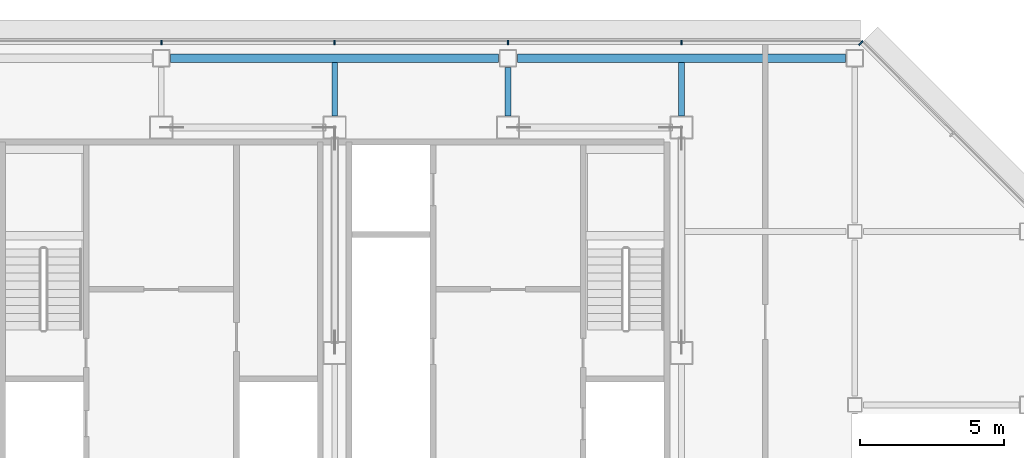
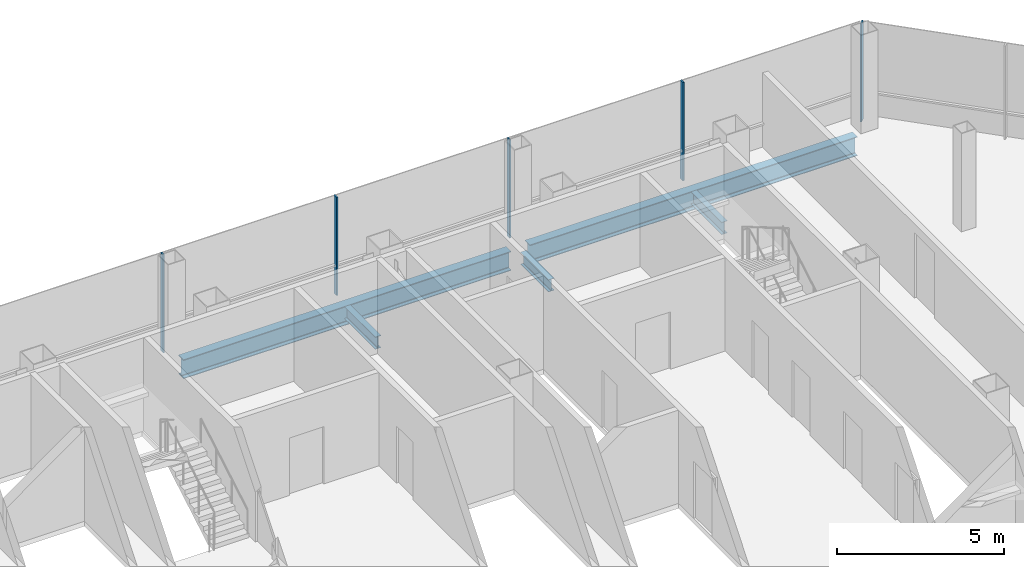
# One storey, part 16 of 27: 5 beams, 5 members, 2 elements without a shape of their own.
"""IFC4 building model written with IfcOpenShell, lengths in metres."""

from ifc_helpers import new_model, si_unit, direction, frame, origin, origin_2d, place, context, subcontext, project, spatial, rectangle, i_section, extrude, material, material_profile, profile_set, type_object, element, aggregate, save


model = new_model("IFC4")

# Units and contexts
model_context = context("Model", 3, precision=1e-05, world=origin(), true_north=direction((0.0, 1.0)))
body_context = subcontext(model_context, "Body", "Model", "MODEL_VIEW")
ifc_project = project(units=[si_unit("LENGTHUNIT", "METRE"), si_unit("AREAUNIT", "SQUARE_METRE"), si_unit("VOLUMEUNIT", "CUBIC_METRE"), si_unit("PLANEANGLEUNIT", "RADIAN"), si_unit("MASSUNIT", "GRAM", prefix="KILO")], contexts=[model_context])

# Site, building, storey
site_placement = place(None, origin())
site = spatial("IfcSite", under=ifc_project, at=site_placement, CompositionType="ELEMENT")
building_placement = place(site_placement, origin())
building = spatial("IfcBuilding", under=site, at=building_placement, Name="Sorahane Residences", CompositionType="ELEMENT")
storey_placement = place(building_placement, frame((0.0, 0.0, 246.800048828125)))
storey = spatial("IfcBuildingStorey", under=building, at=storey_placement, Name="L58", CompositionType="ELEMENT", Elevation=246.800048828125)

# Curtain wall, members
ifc_material_1 = material(Name="Dark low-e glass and black anodised aluminium", Category="aluminium")
curtain_wall_type_1 = type_object("IfcCurtainWallType", Name="Curtain wall CW-1 Typical unitised wall", PredefinedType="NOTDEFINED", material=ifc_material_1)
curtain_wall_1_placement = place(storey_placement, origin())
curtain_wall_1 = element("IfcCurtainWall", 1, at=curtain_wall_1_placement, inside=storey, type_object=curtain_wall_type_1, Name="CW-1 curtain wall L58 N1", PredefinedType="NOTDEFINED")
ifc_material_2 = material(Name="Black anodised aluminium", Category="aluminium")
ifc_material_profile_1 = material_profile(ifc_material_2, rectangle(XDim=0.159912109375, YDim=0.050048828125, at=origin_2d()), Name="Curtain wall mullion CW-1 black anodised aluminium 50x160")
ifc_profile_set_1 = profile_set([ifc_material_profile_1], Name="Black anodised aluminium")
member_type_1 = type_object("IfcMemberType", Name="Curtain wall mullion CW-1 black anodised aluminium 50x160", PredefinedType="MULLION", material=ifc_profile_set_1)
member_1_placement = place(storey_placement, frame((42.0, 48.5400390625, -0.179931640625), z_axis=(0.0, 0.0, 1.0), x_axis=(0.0, 1.0, 0.0)))
member_1 = element("IfcMember", 2, at=member_1_placement, type_object=member_type_1, Name="CW-1 mullion L58 N1.2", PredefinedType="MULLION", context=body_context, shape_type="SweptSolid", body=[
    extrude(rectangle(XDim=0.159912109375, YDim=0.050048828125, at=origin_2d()), origin(), (0.0, 0.0, 1.0), 3.599853515625),
])
member_2_placement = place(storey_placement, frame((36.0, 48.5400390625, -0.179931640625), z_axis=(0.0, 0.0, 1.0), x_axis=(0.0, 1.0, 0.0)))
member_2 = element("IfcMember", 3, at=member_2_placement, type_object=member_type_1, Name="CW-1 mullion L58 N1.3", PredefinedType="MULLION", context=body_context, shape_type="SweptSolid", body=[
    extrude(rectangle(XDim=0.159912109375, YDim=0.050048828125, at=origin_2d()), origin(), (0.0, 0.0, 1.0), 3.599853515625),
])
member_3_placement = place(storey_placement, frame((30.0, 48.5400390625, -0.179931640625), z_axis=(0.0, 0.0, 1.0), x_axis=(0.0, 1.0, 0.0)))
member_3 = element("IfcMember", 4, at=member_3_placement, type_object=member_type_1, Name="CW-1 mullion L58 N1.4", PredefinedType="MULLION", context=body_context, shape_type="SweptSolid", body=[
    extrude(rectangle(XDim=0.159912109375, YDim=0.050048828125, at=origin_2d()), origin(), (0.0, 0.0, 1.0), 3.599853515625),
])
member_4_placement = place(storey_placement, frame((24.0, 48.5400390625, -0.179931640625), z_axis=(0.0, 0.0, 1.0), x_axis=(0.0, 1.0, 0.0)))
member_4 = element("IfcMember", 5, at=member_4_placement, type_object=member_type_1, Name="CW-1 mullion L58 N1.5", PredefinedType="MULLION", context=body_context, shape_type="SweptSolid", body=[
    extrude(rectangle(XDim=0.159912109375, YDim=0.050048828125, at=origin_2d()), origin(), (0.0, 0.0, 1.0), 3.599853515625),
])
aggregate(curtain_wall_1, [member_1, member_2, member_3, member_4])

# Curtain wall, member
ifc_material_3 = material(Name="Dark low-e glass and black anodised aluminium", Category="aluminium")
curtain_wall_type_2 = type_object("IfcCurtainWallType", Name="Curtain wall CW-2 Chamfer unitised wall", PredefinedType="NOTDEFINED", material=ifc_material_3)
curtain_wall_2_placement = place(storey_placement, origin())
curtain_wall_2 = element("IfcCurtainWall", 6, at=curtain_wall_2_placement, inside=storey, type_object=curtain_wall_type_2, Name="CW-2 curtain wall L58 NE1", PredefinedType="NOTDEFINED")
ifc_material_4 = material(Name="Black anodised aluminium", Category="aluminium")
ifc_material_profile_2 = material_profile(ifc_material_4, rectangle(XDim=0.199951171875, YDim=0.050048828125, at=origin_2d()), Name="Curtain wall mullion CW-2 black anodised aluminium 50x200")
ifc_profile_set_2 = profile_set([ifc_material_profile_2], Name="Black anodised aluminium")
member_type_2 = type_object("IfcMemberType", Name="Curtain wall mullion CW-2 black anodised aluminium 50x200", PredefinedType="MULLION", material=ifc_profile_set_2)
member_5_placement = place(storey_placement, frame((48.209716796875, 48.525634765625, -0.179931640625), z_axis=(0.0, 0.0, 1.0), x_axis=(0.707106781187, 0.707106781187, 0.0)))
member_5 = element("IfcMember", 7, at=member_5_placement, type_object=member_type_2, Name="CW-2 mullion L58 NE1.3", PredefinedType="MULLION", context=body_context, shape_type="SweptSolid", body=[
    extrude(rectangle(XDim=0.199951171875, YDim=0.050048828125, at=origin_2d()), origin(), (0.0, 0.0, 1.0), 3.599853515625),
])
aggregate(curtain_wall_2, [member_5])

# Beams
ifc_material_5 = material(Name="Steel Q355B", Category="steel")
ifc_material_profile_3 = material_profile(ifc_material_5, i_section(OverallWidth=0.199951171875, OverallDepth=0.449951171875, WebThickness=0.009033203125, FlangeThickness=0.013916015625, FilletRadius=0.02001953125, at=origin_2d()), Name="HN 450x200x9x14")
ifc_profile_set_3 = profile_set([ifc_material_profile_3], Name="Steel Q355B")
beam_type_1 = type_object("IfcBeamType", Name="Steel floor beam HN 450x200x9x14 Q355B", PredefinedType="BEAM", material=ifc_profile_set_3)
beam_1_placement = place(storey_placement, frame((30.0, 46.0, -0.405029296875), z_axis=(0.0, 1.0, 0.0), x_axis=(-1.0, 0.0, 0.0)))
element("IfcBeam", 8, at=beam_1_placement, inside=storey, type_object=beam_type_1, Name="Beam L58 049", PredefinedType="BEAM", context=body_context, shape_type="SweptSolid", body=[
    extrude(i_section(OverallWidth=0.199951171875, OverallDepth=0.449951171875, WebThickness=0.009033203125, FlangeThickness=0.013916015625, FilletRadius=0.02001953125, at=origin_2d()), origin(), (0.0, 0.0, 1.0), 1.85009765625),
])
beam_2_placement = place(storey_placement, frame((36.0, 46.0, -0.405029296875), z_axis=(0.0, 1.0, 0.0), x_axis=(-1.0, 0.0, 0.0)))
element("IfcBeam", 9, at=beam_2_placement, inside=storey, type_object=beam_type_1, Name="Beam L58 051", PredefinedType="BEAM", context=body_context, shape_type="SweptSolid", body=[
    extrude(i_section(OverallWidth=0.199951171875, OverallDepth=0.449951171875, WebThickness=0.009033203125, FlangeThickness=0.013916015625, FilletRadius=0.02001953125, at=origin_2d()), origin(), (0.0, 0.0, 1.0), 1.675048828125),
])
beam_3_placement = place(storey_placement, frame((42.0, 46.0, -0.405029296875), z_axis=(0.0, 1.0, 0.0), x_axis=(-1.0, 0.0, 0.0)))
element("IfcBeam", 10, at=beam_3_placement, inside=storey, type_object=beam_type_1, Name="Beam L58 057", PredefinedType="BEAM", context=body_context, shape_type="SweptSolid", body=[
    extrude(i_section(OverallWidth=0.199951171875, OverallDepth=0.449951171875, WebThickness=0.009033203125, FlangeThickness=0.013916015625, FilletRadius=0.02001953125, at=origin_2d()), origin(), (0.0, 0.0, 1.0), 1.85009765625),
])
ifc_material_6 = material(Name="Steel Q355B", Category="steel")
ifc_material_profile_4 = material_profile(ifc_material_6, i_section(OverallWidth=0.300048828125, OverallDepth=0.699951171875, WebThickness=0.012939453125, FlangeThickness=0.02392578125, FilletRadius=0.028076171875, at=origin_2d()), Name="HN 700x300x13x24")
ifc_profile_set_4 = profile_set([ifc_material_profile_4], Name="Steel Q355B")
beam_type_2 = type_object("IfcBeamType", Name="Steel floor beam HN 700x300x13x24 Q355B", PredefinedType="BEAM", material=ifc_profile_set_4)
for number, where, z_axis, x_axis, name in (
    (11, (24.324951171875, 48.0, -0.530029296875), (1.0, 0.0, 0.0), (0.0, 1.0, 0.0), "Beam L58 018"),
    (12, (36.324951171875, 48.0, -0.530029296875), (1.0, 0.0, 0.0), (0.0, 1.0, 0.0), "Beam L58 019"),
):
    element("IfcBeam", number, at=place(storey_placement, frame(where, z_axis=z_axis, x_axis=x_axis)), inside=storey, type_object=beam_type_2, Name=name, PredefinedType="BEAM", context=body_context, shape_type="SweptSolid", body=[
        extrude(i_section(OverallWidth=0.300048828125, OverallDepth=0.699951171875, WebThickness=0.012939453125, FlangeThickness=0.02392578125, FilletRadius=0.028076171875, at=origin_2d()), origin(), (0.0, 0.0, 1.0), 11.35009765625),
    ])

save(model, "model.ifc")
